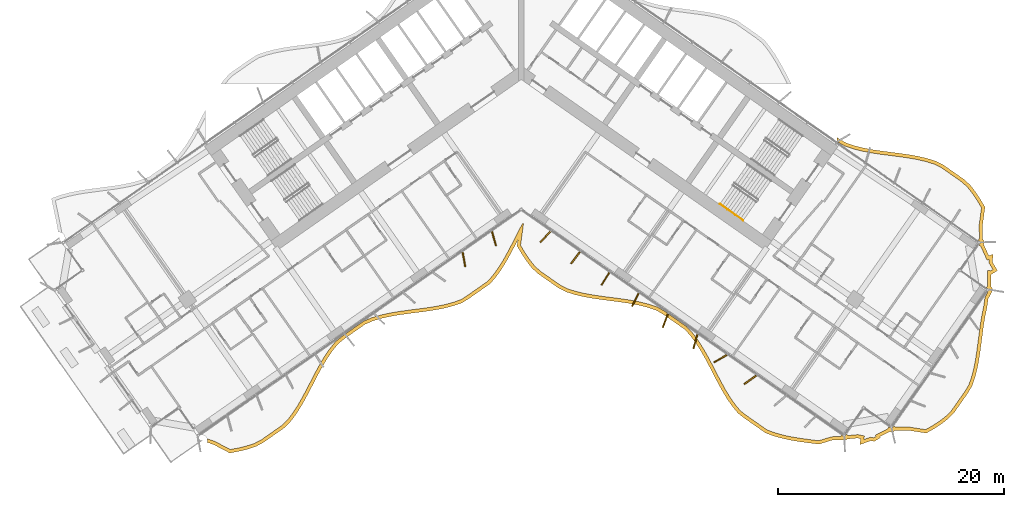
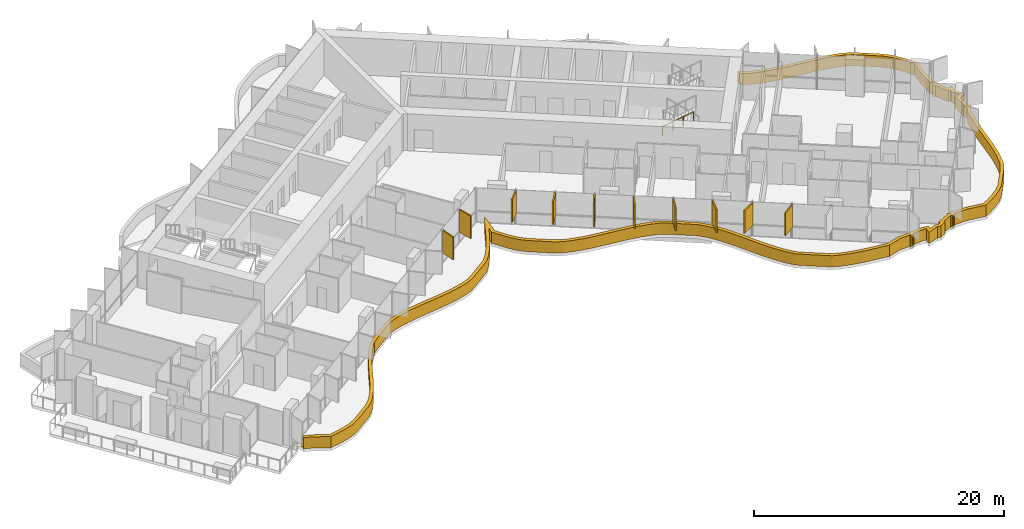
# One storey, part 21 of 25: 11 shading devices, 1 railing.
"""IFC4 building model written with IfcOpenShell, lengths in metres."""

from ifc_helpers import new_model, si_unit, direction, frame, origin, origin_2d, place, context, subcontext, project, spatial, polyline, rectangle, circle, outline, extrude, material, layer, layer_set, type_object, element, save


model = new_model("IFC4")

# Units and contexts
model_context = context("Model", 3, precision=1e-05, world=origin(), true_north=direction((0.0, 1.0)))
body_context = subcontext(model_context, "Body", "Model", "MODEL_VIEW")
ifc_project = project(units=[si_unit("LENGTHUNIT", "METRE"), si_unit("AREAUNIT", "SQUARE_METRE"), si_unit("VOLUMEUNIT", "CUBIC_METRE"), si_unit("PLANEANGLEUNIT", "RADIAN"), si_unit("MASSUNIT", "GRAM", prefix="KILO")], contexts=[model_context])

# Site, building, storey
site_placement = place(None, origin())
site = spatial("IfcSite", under=ifc_project, at=site_placement, CompositionType="ELEMENT")
building_placement = place(site_placement, origin())
building = spatial("IfcBuilding", under=site, at=building_placement, Name="Tel Ilan Convention Tower", CompositionType="ELEMENT")
storey_placement = place(building_placement, frame((0.0, 0.0, 97.699951171875)))
storey = spatial("IfcBuildingStorey", under=building, at=storey_placement, Name="L20", CompositionType="ELEMENT", Elevation=97.699951171875)

# Shading devices
ifc_material_1 = material(Name="Aluminium, bronze anodised", Category="aluminium")
ifc_layer_1 = layer(ifc_material_1, 0.1201171875)
ifc_layer_set_1 = layer_set([ifc_layer_1], Name="FIN BRONZE 1300x120")
shading_device_type_1 = type_object("IfcShadingDeviceType", Name="FIN BRONZE 1300x120", PredefinedType="USERDEFINED", material=ifc_layer_set_1)
for number, where, z_axis, x_axis, name in (
    (1, (-5.06298828125, -17.11279296875, 1.10009765625), (0.0, 0.0, 1.0), (0.173648177667, -0.984807753012, 0.0), "FIN"),
    (2, (-2.40966796875, -15.27734375, 1.10009765625), (0.0, 0.0, 1.0), (0.268172612768, -0.963370878614, 0.0), "FIN"),
    (3, (2.144287109375, -15.11474609375, 1.10009765625), (0.0, 0.0, 1.0), (-0.686241637865, -0.727373641577, 0.0), "FIN"),
    (4, (4.79052734375, -16.968017578125, 1.10009765625), (0.0, 0.0, 1.0), (-0.612600545196, -0.790392669516, 0.0), "FIN"),
    (5, (7.437255859375, -18.8212890625, 1.10009765625), (0.0, 0.0, 1.0), (-0.533204432798, -0.845986425922, 0.0), "FIN"),
    (6, (10.083740234375, -20.674072265625, 1.10009765625), (0.0, 0.0, 1.0), (-0.448799180206, -0.893632640321, 0.0), "FIN"),
    (7, (12.733154296875, -22.521240234375, 1.10009765625), (0.0, 0.0, 1.0), (-0.360177724803, -0.932883704733, 0.0), "FIN"),
    (8, (15.384765625, -24.36279296875, 1.10009765625), (0.0, 0.0, 1.0), (-0.268172612768, -0.963370878614, 0.0), "FIN"),
    (9, (17.588134765625, -25.883056640625, 1.10009765625), (0.0, 0.0, 1.0), (-0.866025403784, -0.5, 0.0), "FIN"),
    (10, (20.220458984375, -27.748779296875, 1.10009765625), (0.0, 0.0, 1.0), (-0.813552070258, -0.581492071294, 0.0), "FIN"),
):
    element("IfcShadingDevice", number, at=place(storey_placement, frame(where, z_axis=z_axis, x_axis=x_axis)), inside=storey, type_object=shading_device_type_1, Name=name, ObjectType="FIN", PredefinedType="USERDEFINED", context=body_context, shape_type="SweptSolid", body=[
        extrude(rectangle(XDim=1.300048828125, YDim=0.1201171875, at=origin_2d()), origin(), (0.0, 0.0, 1.0), 2.219970703125),
    ])
ifc_material_2 = material(Name="Aluminium, bronze anodised", Category="aluminium")
ifc_layer_2 = layer(ifc_material_2, 0.300048828125)
ifc_layer_set_2 = layer_set([ifc_layer_2], Name="LOUVRE BAND 300x1100")
shading_device_type_2 = type_object("IfcShadingDeviceType", Name="LOUVRE BAND 300x1100", PredefinedType="USERDEFINED", material=ifc_layer_set_2)
shading_device_placement = place(storey_placement, origin())
element("IfcShadingDevice", 11, at=shading_device_placement, inside=storey, type_object=shading_device_type_2, Name="LOUVRE BAND 18.01", ObjectType="LOUVRE", PredefinedType="USERDEFINED", context=body_context, shape_type="SweptSolid", body=[
    extrude(outline(polyline([(-27.749267578125, -32.951171875), (-27.73095703125, -33.018310546875), (-27.71923828125, -33.11572265625), (-27.7265625, -33.21337890625), (-27.739990234375, -33.27197265625), (-27.177490234375, -33.46728515625), (-25.748291015625, -34.2158203125), (-24.94677734375, -34.067626953125), (-24.174072265625, -33.878662109375), (-23.436767578125, -33.63916015625), (-22.779296875, -33.28515625), (-20.957275390625, -32.009521484375), (-20.41845703125, -31.486083984375), (-19.947509765625, -30.8662109375), (-19.5107421875, -30.197265625), (-19.1005859375, -29.490234375), (-18.708740234375, -28.75732421875), (-17.939697265625, -27.270263671875), (-17.54296875, -26.544189453125), (-17.125, -25.848388671875), (-16.677734375, -25.1943359375), (-16.19384765625, -24.5927734375), (-15.619140625, -24.12109375), (-13.797119140625, -22.84521484375), (-13.101318359375, -22.546142578125), (-12.351806640625, -22.323974609375), (-11.56884765625, -22.1494140625), (-10.760498046875, -22.01123046875), (-9.935791015625, -21.896484375), (-8.276123046875, -21.681396484375), (-7.4609375, -21.552734375), (-6.66845703125, -21.39208984375), (-5.906494140625, -21.1875), (-5.18212890625, -20.92919921875), (-4.55859375, -20.527099609375), (-2.736572265625, -19.251220703125), (-2.23828125, -18.669921875), (-1.779296875, -18.032958984375), (-1.352294921875, -17.350341796875), (-0.94921875, -16.63330078125), (-0.29345703125, -15.373291015625), (-0.367919921875, -15.928955078125), (0.045166015625, -16.631591796875), (0.487060546875, -17.29296875), (0.964599609375, -17.90380859375), (1.52197265625, -18.400634765625), (3.343994140625, -19.676513671875), (4.02001953125, -20.003662109375), (4.763427734375, -20.234375), (5.54150390625, -20.416015625), (6.34619140625, -20.559326171875), (7.1689453125, -20.67724609375), (8.829345703125, -20.89111328125), (9.647216796875, -21.015625), (10.444091796875, -21.17041015625), (11.211669921875, -21.366943359375), (11.9423828125, -21.61572265625), (12.582275390625, -21.99462890625), (14.404541015625, -23.2705078125), (14.92333984375, -23.822021484375), (15.388427734375, -24.450439453125), (15.8203125, -25.12646484375), (16.2265625, -25.8388671875), (16.61669921875, -26.574462890625), (17.38623046875, -28.060546875), (17.785888671875, -28.782470703125), (18.2080078125, -29.47216796875), (18.660888671875, -30.1181640625), (19.1513671875, -30.71044921875), (19.742431640625, -31.158935546875), (21.564697265625, -32.4345703125), (22.281005859375, -32.7041015625), (23.03662109375, -32.917724609375), (23.824462890625, -33.08544921875), (24.635986328125, -33.218994140625), (26.29443359375, -33.435546875), (27.448974609375, -33.079345703125), (28.376953125, -33.047119140625), (28.430908203125, -33.083251953125), (28.545654296875, -33.10595703125), (28.660400390625, -33.083251953125), (28.7578125, -33.01806640625), (28.786865234375, -32.974853515625), (29.716796875, -32.8935546875), (29.97412109375, -32.9453125), (29.9072265625, -33.476806640625), (30.8779296875, -33.126708984375), (31.183837890625, -33.188232421875), (31.7392578125, -32.8447265625), (31.685546875, -32.75439453125), (32.554931640625, -32.310302734375), (32.609130859375, -32.346435546875), (32.723876953125, -32.369384765625), (32.838623046875, -32.346435546875), (32.93603515625, -32.281494140625), (32.96484375, -32.238037109375), (34.16845703125, -32.208740234375), (35.769775390625, -32.4580078125), (36.4619140625, -32.07080078125), (37.104736328125, -31.64892578125), (37.701904296875, -31.195068359375), (38.212890625, -30.680908203125), (39.44189453125, -28.925537109375), (39.810791015625, -28.311767578125), (40.0537109375, -27.60986328125), (40.247314453125, -26.87353515625), (40.40087890625, -26.109130859375), (40.52490234375, -25.323974609375), (40.841064453125, -22.929443359375), (40.969970703125, -22.147705078125), (41.12841796875, -21.386474609375), (41.24267578125, -20.594482421875), (41.5732421875, -19.9541015625), (41.568603515625, -19.950927734375), (41.604736328125, -19.896728515625), (41.62744140625, -19.781982421875), (41.604736328125, -19.667236328125), (41.53955078125, -19.56982421875), (41.496337890625, -19.541015625), (41.487548828125, -18.439453125), (41.508056640625, -18.443603515625), (42.063720703125, -18.10009765625), (41.602294921875, -17.322509765625), (41.686767578125, -16.65380859375), (41.29638671875, -16.79443359375), (40.831787109375, -15.772705078125), (40.867919921875, -15.71875), (40.890869140625, -15.603759765625), (40.867919921875, -15.489013671875), (40.802978515625, -15.3916015625), (40.759521484375, -15.36279296875), (40.743408203125, -14.096435546875), (40.96044921875, -12.496826171875), (40.548828125, -11.795654296875), (40.108154296875, -11.13525390625), (39.63232421875, -10.525390625), (39.078125, -10.02783203125), (37.260498046875, -8.755126953125), (36.5888671875, -8.4248046875), (35.84814453125, -8.193115234375), (35.072998046875, -8.0107421875), (34.27099609375, -7.86669921875), (33.450927734375, -7.748779296875), (31.79443359375, -7.535400390625), (30.97802734375, -7.412109375), (30.181884765625, -7.259521484375), (29.414794921875, -7.0654296875), (28.68408203125, -6.820068359375), (28.040283203125, -6.44970703125), (27.874755859375, -6.333740234375), (27.874755859375, -6.70068359375), (28.560302734375, -7.094970703125), (29.330322265625, -7.353515625), (30.116943359375, -7.552490234375), (30.92724609375, -7.707763671875), (31.752685546875, -7.83251953125), (33.41064453125, -8.0458984375), (34.22314453125, -8.162841796875), (35.01220703125, -8.3046875), (35.76904296875, -8.482666015625), (36.477294921875, -8.7041015625), (37.107421875, -9.01416015625), (38.89111328125, -10.26318359375), (39.412109375, -10.73095703125), (39.86474609375, -11.31103515625), (40.29443359375, -11.954833984375), (40.649169921875, -12.559326171875), (40.443115234375, -14.07861328125), (40.46142578125, -15.265625), (40.344970703125, -15.431640625), (40.5908203125, -15.603759765625), (40.41943359375, -15.85009765625), (40.596923828125, -15.974365234375), (41.13720703125, -17.1708984375), (41.327880859375, -17.10205078125), (41.291748046875, -17.38720703125), (41.6552734375, -17.999755859375), (41.451171875, -18.1259765625), (41.18359375, -18.072265625), (41.198486328125, -19.443115234375), (41.081787109375, -19.60986328125), (41.327392578125, -19.781982421875), (41.156005859375, -20.0283203125), (41.186279296875, -20.04931640625), (40.952880859375, -20.501708984375), (40.832763671875, -21.33447265625), (40.675048828125, -22.0927734375), (40.54443359375, -22.884521484375), (40.22802734375, -25.28076171875), (40.10546875, -26.05615234375), (39.955078125, -26.8056640625), (39.766357421875, -27.5224609375), (39.53759765625, -28.18408203125), (39.190185546875, -28.761962890625), (37.98193359375, -30.48779296875), (37.50390625, -30.96875), (36.931640625, -31.40380859375), (36.30615234375, -31.814208984375), (35.713623046875, -32.145751953125), (34.1875, -31.908203125), (33.060546875, -31.938720703125), (32.89599609375, -31.823486328125), (32.723876953125, -32.0693359375), (32.4775390625, -31.89794921875), (32.34912109375, -32.08154296875), (31.26416015625, -32.6318359375), (31.3310546875, -32.74462890625), (31.126708984375, -32.870849609375), (30.854736328125, -32.816162109375), (30.26611328125, -33.028564453125), (30.306884765625, -32.7060546875), (29.73291015625, -32.5908203125), (28.87353515625, -32.66943359375), (28.7177734375, -32.560302734375), (28.545654296875, -32.805908203125), (28.299560546875, -32.634521484375), (28.214111328125, -32.75634765625), (27.3994140625, -32.78076171875), (26.267822265625, -33.1298828125), (24.6806640625, -32.922119140625), (23.8798828125, -32.79052734375), (23.10888671875, -32.626220703125), (22.374755859375, -32.4189453125), (21.70556640625, -32.167236328125), (19.919189453125, -30.91650390625), (19.3603515625, -30.492431640625), (18.899658203125, -29.936279296875), (18.459228515625, -29.3076171875), (18.04541015625, -28.63134765625), (17.650634765625, -27.91845703125), (16.882568359375, -26.435791015625), (16.489501953125, -25.694091796875), (16.0771484375, -24.97119140625), (15.6357421875, -24.2802734375), (15.154052734375, -23.629150390625), (14.601806640625, -23.04248046875), (12.7451171875, -21.742431640625), (12.068603515625, -21.341796875), (11.29736328125, -21.0791015625), (10.510009765625, -20.87744140625), (9.698486328125, -20.719970703125), (8.871337890625, -20.593994140625), (7.209228515625, -20.3798828125), (6.393798828125, -20.26318359375), (5.60205078125, -20.1220703125), (4.84228515625, -19.94482421875), (4.13037109375, -19.723876953125), (3.496337890625, -19.4169921875), (1.70849609375, -18.1650390625), (1.184326171875, -17.697998046875), (0.73046875, -17.1171875), (0.299560546875, -16.471923828125), (-0.056884765625, -15.8662109375), (0.199462890625, -13.955810546875), (0.11083984375, -13.927978515625), (-0.8271484375, -15.756591796875), (-1.212890625, -16.489990234375), (-1.6103515625, -17.197265625), (-2.0283203125, -17.86572265625), (-2.474365234375, -18.484375), (-2.939697265625, -19.027099609375), (-4.72607421875, -20.278076171875), (-5.315673828125, -20.658203125), (-5.995849609375, -20.90087890625), (-6.737060546875, -21.099853515625), (-7.51416015625, -21.25732421875), (-8.319091796875, -21.384521484375), (-9.97509765625, -21.59912109375), (-10.806396484375, -21.71484375), (-11.626708984375, -21.85498046875), (-12.427001953125, -22.033447265625), (-13.20361328125, -22.263427734375), (-13.94384765625, -22.581787109375), (-15.800537109375, -23.8818359375), (-16.408203125, -24.380615234375), (-16.9189453125, -25.015380859375), (-17.377685546875, -25.686279296875), (-17.80322265625, -26.39501953125), (-18.20458984375, -27.129150390625), (-18.974365234375, -28.617919921875), (-19.36279296875, -29.34423828125), (-19.76611328125, -30.0400390625), (-20.192626953125, -30.693359375), (-20.643798828125, -31.28662109375), (-21.14892578125, -31.777587890625), (-22.93701171875, -33.029296875), (-23.55517578125, -33.362060546875), (-24.256103515625, -33.590087890625), (-25.009765625, -33.7744140625), (-25.700927734375, -33.90185546875), (-27.057861328125, -33.19140625), (-27.749267578125, -32.951171875)])), origin(), (0.0, 0.0, 1.0), 1.10009765625),
])

# Railing
ifc_material_3 = material(Name="Stainless Steel Grade 316", Category="steel")
railing_type = type_object("IfcRailingType", Name="Stainless Steel Stair Handrail 900 mm", PredefinedType="HANDRAIL", material=ifc_material_3)
railing_placement = place(storey_placement, frame((17.542236328125, -12.22216796875, 1.97998046875)))
element("IfcRailing", 12, at=railing_placement, inside=storey, type_object=railing_type, Name="L20 S4 stair handrail 2", PredefinedType="HANDRAIL", context=body_context, shape_type="SweptSolid", body=[
    extrude(circle(Radius=0.02392578125, at=origin_2d()), frame((0.0, 0.0, 0.8759765625), z_axis=(0.689040105437, -0.482450316285, 0.54080072616), x_axis=(0.573559875649, 0.819163639968, 0.0)), (0.0, 0.0, 1.0), 2.995849609375),
    extrude(circle(Radius=0.02099609375, at=origin_2d()), origin(), (0.0, 0.0, 1.0), 0.851806640625),
    extrude(circle(Radius=0.02099609375, at=origin_2d()), frame((0.68798828125, -0.481689453125, 0.5400390625)), (0.0, 0.0, 1.0), 0.851806640625),
    extrude(circle(Radius=0.02099609375, at=origin_2d()), frame((1.376220703125, -0.963623046875, 1.080078125)), (0.0, 0.0, 1.0), 0.851806640625),
    extrude(circle(Radius=0.02099609375, at=origin_2d()), frame((2.064208984375, -1.4453125, 1.6201171875)), (0.0, 0.0, 1.0), 0.851806640625),
])

save(model, "model.ifc")
